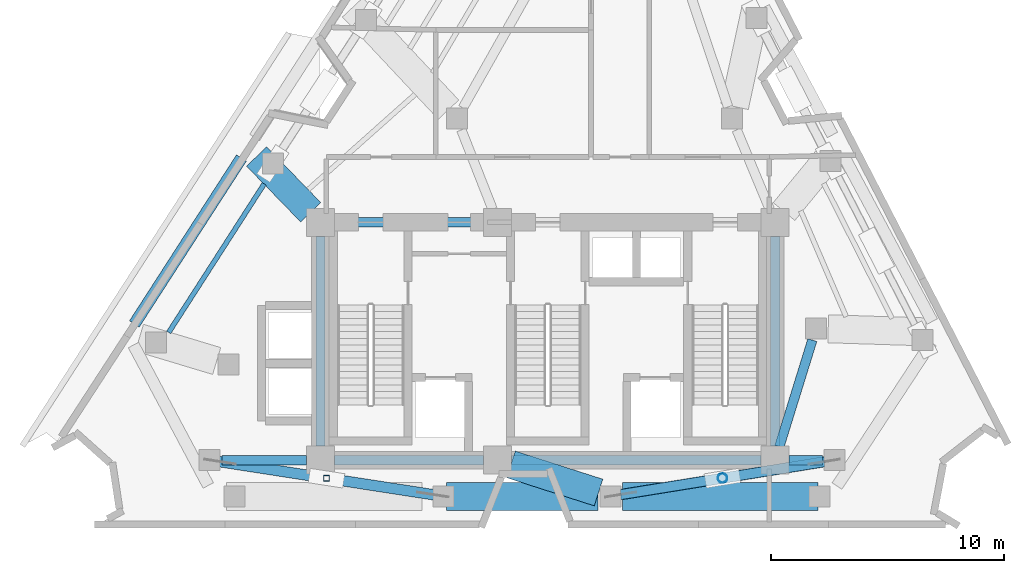
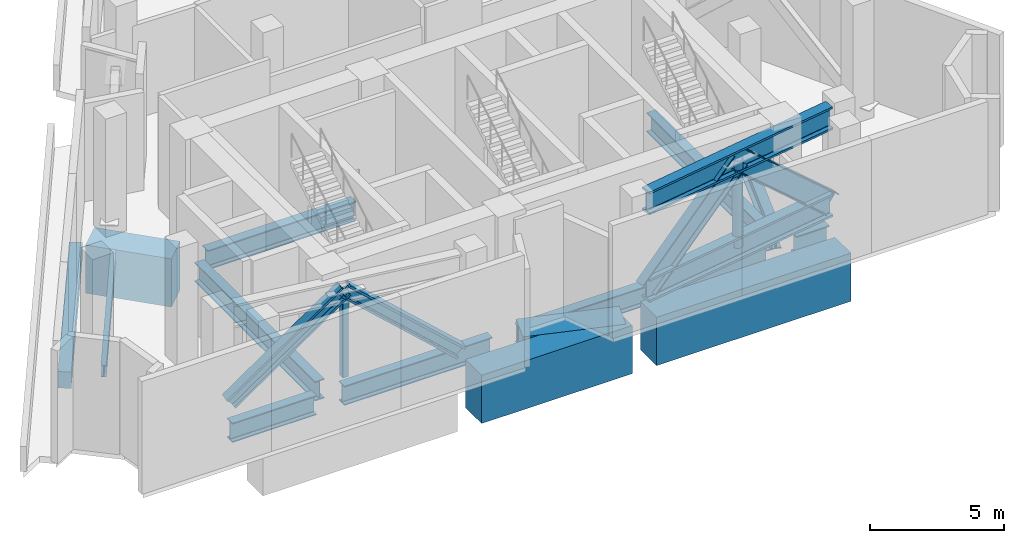
# One storey, part 2 of 8: 16 beams, 6 members.
"""IFC4 building model written with IfcOpenShell, lengths in metres."""

from ifc_helpers import new_model, si_unit, direction, frame, origin, origin_2d, place, context, subcontext, project, spatial, rectangle, hollow_rectangle, hollow_circle, i_section, extrude, material, material_profile, profile_set, type_object, element, save


model = new_model("IFC4")

# Units and contexts
model_context = context("Model", 3, precision=1e-05, world=origin(), true_north=direction((0.0, 1.0)))
body_context = subcontext(model_context, "Body", "Model", "MODEL_VIEW")
ifc_project = project(units=[si_unit("LENGTHUNIT", "METRE"), si_unit("AREAUNIT", "SQUARE_METRE"), si_unit("VOLUMEUNIT", "CUBIC_METRE"), si_unit("PLANEANGLEUNIT", "RADIAN"), si_unit("MASSUNIT", "GRAM", prefix="KILO")], contexts=[model_context])

# Site, building, storey
site_placement = place(None, origin())
site = spatial("IfcSite", under=ifc_project, at=site_placement, CompositionType="ELEMENT")
building_placement = place(site_placement, origin())
building = spatial("IfcBuilding", under=site, at=building_placement, Name="Almagre Mirador Tower", CompositionType="ELEMENT")
storey_placement = place(building_placement, frame((0.0, 0.0, 201.60009765625)))
storey = spatial("IfcBuildingStorey", under=building, at=storey_placement, Name="L52", CompositionType="ELEMENT", Elevation=201.60009765625)

# Beams
ifc_material_1 = material(Name="Steel ASTM A992 Grade 50", Category="steel")
ifc_material_profile_1 = material_profile(ifc_material_1, i_section(OverallWidth=0.208984375, OverallDepth=0.532958984375, WebThickness=0.01025390625, FlangeThickness=0.015625, FilletRadius=0.01806640625, at=origin_2d()), Name="W21X62")
ifc_profile_set_1 = profile_set([ifc_material_profile_1], Name="Steel ASTM A992 Grade 50")
beam_type_1 = type_object("IfcBeamType", Name="BM-JST-W21X62", PredefinedType="JOIST", material=ifc_profile_set_1)
beam_1_placement = place(storey_placement, frame((25.135498046875, 16.398681640625, -0.566650390625), z_axis=(-0.540711997043, -0.841207784233, 0.0), x_axis=(0.841207784233, -0.540711997043, 0.0)))
element("IfcBeam", 1, at=beam_1_placement, inside=storey, type_object=beam_type_1, Name="L52 secondary floor joist PC11-PC12.1", PredefinedType="JOIST", context=body_context, shape_type="SweptSolid", body=[
    extrude(i_section(OverallWidth=0.208984375, OverallDepth=0.532958984375, WebThickness=0.01025390625, FlangeThickness=0.015625, FilletRadius=0.01806640625, at=origin_2d()), origin(), (0.0, 0.0, 1.0), 7.577880859375),
])
ifc_material_2 = material(Name="Precast concrete C50/60", Category="concrete")
ifc_material_profile_2 = material_profile(ifc_material_2, rectangle(XDim=0.5, YDim=0.75, at=origin_2d()), Name="RC500X750")
ifc_profile_set_2 = profile_set([ifc_material_profile_2], Name="Precast concrete C50/60")
beam_type_2 = type_object("IfcBeamType", Name="BM-SPN-RC500X750", PredefinedType="SPANDREL", material=ifc_profile_set_2)
beam_2_placement = place(storey_placement, frame((24.159423828125, 17.5087890625, -0.675048828125), z_axis=(-0.542024442959, -0.840362721231, 0.0), x_axis=(0.840362721231, -0.542024442959, 0.0)))
element("IfcBeam", 2, at=beam_2_placement, inside=storey, type_object=beam_type_2, Name="L52 perimeter spandrel beam PC11-PC12", PredefinedType="SPANDREL", context=body_context, shape_type="SweptSolid", body=[
    extrude(rectangle(XDim=0.5, YDim=0.75, at=origin_2d()), origin(), (0.0, 0.0, 1.0), 8.4697265625),
])
ifc_material_3 = material(Name="Steel ASTM A992 Grade 50", Category="steel")
ifc_material_profile_3 = material_profile(ifc_material_3, i_section(OverallWidth=0.404052734375, OverallDepth=0.884033203125, WebThickness=0.0244140625, FlangeThickness=0.0439453125, FilletRadius=0.02490234375, at=origin_2d()), Name="W33X291")
ifc_profile_set_3 = profile_set([ifc_material_profile_3], Name="Steel ASTM A992 Grade 50")
beam_type_3 = type_object("IfcBeamType", Name="BM-STL-W33X291", PredefinedType="BEAM", material=ifc_profile_set_3)
beam_3_placement = place(storey_placement, frame((28.14990234375, 4.550048828125, -0.7421875), z_axis=(1.0, 0.0, 0.0), x_axis=(0.0, 1.0, 0.0)))
element("IfcBeam", 3, at=beam_3_placement, inside=storey, type_object=beam_type_3, Name="L52 core tie girder CC1-CC2", PredefinedType="BEAM", context=body_context, shape_type="SweptSolid", body=[
    extrude(i_section(OverallWidth=0.404052734375, OverallDepth=0.884033203125, WebThickness=0.0244140625, FlangeThickness=0.0439453125, FilletRadius=0.02490234375, at=origin_2d()), origin(), (0.0, 0.0, 1.0), 6.400146484375),
])
beam_4_placement = place(storey_placement, frame((35.75, 4.550048828125, -0.7421875), z_axis=(1.0, 0.0, 0.0), x_axis=(0.0, 1.0, 0.0)))
element("IfcBeam", 4, at=beam_4_placement, inside=storey, type_object=beam_type_3, Name="L52 core tie girder CC2-CC3", PredefinedType="BEAM", context=body_context, shape_type="SweptSolid", body=[
    extrude(i_section(OverallWidth=0.404052734375, OverallDepth=0.884033203125, WebThickness=0.0244140625, FlangeThickness=0.0439453125, FilletRadius=0.02490234375, at=origin_2d()), origin(), (0.0, 0.0, 1.0), 10.699951171875),
])
beam_5_placement = place(storey_placement, frame((28.14990234375, 14.75, -0.7421875), z_axis=(1.0, 0.0, 0.0), x_axis=(0.0, 1.0, 0.0)))
element("IfcBeam", 5, at=beam_5_placement, inside=storey, type_object=beam_type_3, Name="L52 core tie girder CC4-CC5", PredefinedType="BEAM", context=body_context, shape_type="SweptSolid", body=[
    extrude(i_section(OverallWidth=0.404052734375, OverallDepth=0.884033203125, WebThickness=0.0244140625, FlangeThickness=0.0439453125, FilletRadius=0.02490234375, at=origin_2d()), origin(), (0.0, 0.0, 1.0), 6.400146484375),
])
for number, where, z_axis, x_axis, name in (
    (6, (27.550048828125, 5.14990234375, -0.7421875), (0.0, 1.0, 0.0), (-1.0, 0.0, 0.0), "L52 core tie girder CC1-CC4"),
    (7, (47.050048828125, 5.14990234375, -0.7421875), (0.0, 1.0, 0.0), (-1.0, 0.0, 0.0), "L52 core tie girder CC3-CC6"),
):
    element("IfcBeam", number, at=place(storey_placement, frame(where, z_axis=z_axis, x_axis=x_axis)), inside=storey, type_object=beam_type_3, Name=name, PredefinedType="BEAM", context=body_context, shape_type="SweptSolid", body=[
        extrude(i_section(OverallWidth=0.404052734375, OverallDepth=0.884033203125, WebThickness=0.0244140625, FlangeThickness=0.0439453125, FilletRadius=0.02490234375, at=origin_2d()), origin(), (0.0, 0.0, 1.0), 9.0),
    ])
beam_6_placement = place(storey_placement, frame((23.324951171875, 4.550048828125, -0.7421875), z_axis=(1.0, 0.0, 0.0), x_axis=(0.0, 1.0, 0.0)))
element("IfcBeam", 8, at=beam_6_placement, inside=storey, type_object=beam_type_3, Name="L52 core tie girder MC1-CC1", PredefinedType="BEAM", context=body_context, shape_type="SweptSolid", body=[
    extrude(i_section(OverallWidth=0.404052734375, OverallDepth=0.884033203125, WebThickness=0.0244140625, FlangeThickness=0.0439453125, FilletRadius=0.02490234375, at=origin_2d()), origin(), (0.0, 0.0, 1.0), 3.625),
])
beam_7_placement = place(storey_placement, frame((49.074951171875, 4.550048828125, -0.7421875), z_axis=(-1.0, 0.0, 0.0), x_axis=(0.0, -1.0, 0.0)))
element("IfcBeam", 9, at=beam_7_placement, inside=storey, type_object=beam_type_3, Name="L52 core tie girder MC2-CC3", PredefinedType="BEAM", context=body_context, shape_type="SweptSolid", body=[
    extrude(i_section(OverallWidth=0.404052734375, OverallDepth=0.884033203125, WebThickness=0.0244140625, FlangeThickness=0.0439453125, FilletRadius=0.02490234375, at=origin_2d()), origin(), (0.0, 0.0, 1.0), 1.425048828125),
])
beam_8_placement = place(storey_placement, frame((48.644775390625, 9.698486328125, -0.7421875), z_axis=(-0.295879743348, -0.955225197258, 0.0), x_axis=(0.955225197258, -0.295879743348, 0.0)))
element("IfcBeam", 10, at=beam_8_placement, inside=storey, type_object=beam_type_3, Name="L52 core tie girder MC3-CC3", PredefinedType="BEAM", context=body_context, shape_type="SweptSolid", body=[
    extrude(i_section(OverallWidth=0.404052734375, OverallDepth=0.884033203125, WebThickness=0.0244140625, FlangeThickness=0.0439453125, FilletRadius=0.02490234375, at=origin_2d()), origin(), (0.0, 0.0, 1.0), 4.789794921875),
])
ifc_material_4 = material(Name="Steel ASTM A913 Grade 65", Category="steel")
ifc_material_profile_4 = material_profile(ifc_material_4, i_section(OverallWidth=0.446044921875, OverallDepth=1.0439453125, WebThickness=0.050048828125, FlangeThickness=0.08984375, FilletRadius=0.028076171875, at=origin_2d()), Name="W36X652")
ifc_profile_set_4 = profile_set([ifc_material_profile_4], Name="Steel ASTM A913 Grade 65")
beam_type_4 = type_object("IfcBeamType", Name="BM-STL-W36X652", PredefinedType="BEAM", material=ifc_profile_set_4)
for number, where, z_axis, x_axis, name in (
    (11, (40.42822265625, 3.071533203125, 0.64990234375), (0.987253301803, 0.159156897681, 0.0), (-0.159156897681, 0.987253301803, 0.0), "L52 outrigger truss 2 bottom chord"),
    (12, (40.42822265625, 3.071533203125, 4.6279296875), (0.987253301803, 0.159156897681, 0.0), (-0.159156897681, 0.987253301803, 0.0), "L52 outrigger truss 2 top chord"),
):
    element("IfcBeam", number, at=place(storey_placement, frame(where, z_axis=z_axis, x_axis=x_axis)), inside=storey, type_object=beam_type_4, Name=name, PredefinedType="BEAM", context=body_context, shape_type="SweptSolid", body=[
        extrude(i_section(OverallWidth=0.446044921875, OverallDepth=1.0439453125, WebThickness=0.050048828125, FlangeThickness=0.08984375, FilletRadius=0.028076171875, at=origin_2d()), origin(), (0.0, 0.0, 1.0), 8.84033203125),
    ])
ifc_material_5 = material(Name="Concrete C60/75", Category="concrete")
ifc_material_profile_5 = material_profile(ifc_material_5, rectangle(XDim=1.199951171875, YDim=2.199951171875, at=origin_2d()), Name="RC1200X2200")
ifc_profile_set_5 = profile_set([ifc_material_profile_5], Name="Concrete C60/75")
beam_type_5 = type_object("IfcBeamType", Name="BM-XFER-RC1200X2200", PredefinedType="BEAM", material=ifc_profile_set_5)
beam_9_placement = place(storey_placement, frame((32.948974609375, 3.0, -1.400146484375), z_axis=(1.0, 0.0, 0.0), x_axis=(0.0, 1.0, 0.0)))
element("IfcBeam", 13, at=beam_9_placement, inside=storey, type_object=beam_type_5, Name="L52 perimeter spandrel beam PC02-PC03", PredefinedType="BEAM", context=body_context, shape_type="SweptSolid", body=[
    extrude(rectangle(XDim=1.199951171875, YDim=2.199951171875, at=origin_2d()), origin(), (0.0, 0.0, 1.0), 6.501953125),
])
beam_10_placement = place(storey_placement, frame((40.5009765625, 3.0, -1.400146484375), z_axis=(1.0, 0.0, 0.0), x_axis=(0.0, 1.0, 0.0)))
element("IfcBeam", 14, at=beam_10_placement, inside=storey, type_object=beam_type_5, Name="L52 perimeter spandrel beam PC03-PC04", PredefinedType="BEAM", context=body_context, shape_type="SweptSolid", body=[
    extrude(rectangle(XDim=1.199951171875, YDim=2.199951171875, at=origin_2d()), origin(), (0.0, 0.0, 1.0), 8.39013671875),
])
beam_11_placement = place(storey_placement, frame((39.47607421875, 3.160400390625, -1.400146484375), z_axis=(-0.952092949621, 0.30580878876, 0.0), x_axis=(-0.30580878876, -0.952092949621, 0.0)))
element("IfcBeam", 15, at=beam_11_placement, inside=storey, type_object=beam_type_5, Name="L52 radial transfer girder PC03-CC2", PredefinedType="BEAM", context=body_context, shape_type="SweptSolid", body=[
    extrude(rectangle(XDim=1.199951171875, YDim=2.199951171875, at=origin_2d()), origin(), (0.0, 0.0, 1.0), 3.94384765625),
])
beam_12_placement = place(storey_placement, frame((24.809814453125, 17.5732421875, -1.400146484375), z_axis=(0.69644765499, -0.717607597409, 0.0), x_axis=(0.717607597409, 0.69644765499, 0.0)))
element("IfcBeam", 16, at=beam_12_placement, inside=storey, type_object=beam_type_5, Name="L52 radial transfer girder PC11-CC4", PredefinedType="BEAM", context=body_context, shape_type="SweptSolid", body=[
    extrude(rectangle(XDim=1.199951171875, YDim=2.199951171875, at=origin_2d()), origin(), (0.0, 0.0, 1.0), 3.33447265625),
])

# Members
ifc_material_6 = material(Name="Steel ASTM A913 Grade 65", Category="steel")
ifc_material_profile_6 = material_profile(ifc_material_6, i_section(OverallWidth=0.4541015625, OverallDepth=0.570068359375, WebThickness=0.077880859375, FlangeThickness=0.093994140625, FilletRadius=0.02001953125, at=origin_2d()), Name="W14X730")
ifc_profile_set_6 = profile_set([ifc_material_profile_6], Name="Steel ASTM A913 Grade 65")
member_type_1 = type_object("IfcMemberType", Name="MBR-BRC-W14X730", PredefinedType="BRACE", material=ifc_profile_set_6)
member_1_placement = place(storey_placement, frame((32.371337890625, 3.06884765625, 0.64990234375), z_axis=(-0.748711975985, 0.115845863493, 0.65269450199), x_axis=(-0.152907367232, -0.988240525908, 0.0)))
element("IfcMember", 17, at=member_1_placement, inside=storey, type_object=member_type_1, Name="L52 outrigger truss 1 diagonal 1", PredefinedType="BRACE", context=body_context, shape_type="SweptSolid", body=[
    extrude(i_section(OverallWidth=0.4541015625, OverallDepth=0.570068359375, WebThickness=0.077880859375, FlangeThickness=0.093994140625, FilletRadius=0.02001953125, at=origin_2d()), origin(), (0.0, 0.0, 1.0), 6.0947265625),
])
member_2_placement = place(storey_placement, frame((27.80810546875, 3.77490234375, 4.6279296875), z_axis=(-0.748726102779, 0.115881907519, -0.652671898068), x_axis=(-0.152951011259, -0.988233772017, 0.0)))
element("IfcMember", 18, at=member_2_placement, inside=storey, type_object=member_type_1, Name="L52 outrigger truss 1 diagonal 2", PredefinedType="BRACE", context=body_context, shape_type="SweptSolid", body=[
    extrude(i_section(OverallWidth=0.4541015625, OverallDepth=0.570068359375, WebThickness=0.077880859375, FlangeThickness=0.093994140625, FilletRadius=0.02001953125, at=origin_2d()), origin(), (0.0, 0.0, 1.0), 6.094970703125),
])
ifc_material_7 = material(Name="Steel ASTM A913 Grade 65", Category="steel")
ifc_material_profile_7 = material_profile(ifc_material_7, i_section(OverallWidth=0.423095703125, OverallDepth=0.947998046875, WebThickness=0.02392578125, FlangeThickness=0.042724609375, FilletRadius=0.028076171875, at=origin_2d()), Name="W36X302")
ifc_profile_set_7 = profile_set([ifc_material_profile_7], Name="Steel ASTM A913 Grade 65")
member_type_2 = type_object("IfcMemberType", Name="MBR-BRC-W36X302", PredefinedType="BRACE", material=ifc_profile_set_7)
for number, where, z_axis, x_axis, name in (
    (19, (40.42822265625, 3.071533203125, 0.64990234375), (0.733827398091, 0.118281119721, 0.668959585123), (-0.159129980046, 0.987257640867, 0.0), "L52 outrigger truss 2 diagonal 1"),
    (20, (44.7919921875, 3.77490234375, 4.6279296875), (0.73382383396, 0.118321600619, -0.668956336049), (-0.159183814961, 0.987248962043, 0.0), "L52 outrigger truss 2 diagonal 2"),
):
    element("IfcMember", number, at=place(storey_placement, frame(where, z_axis=z_axis, x_axis=x_axis)), inside=storey, type_object=member_type_2, Name=name, PredefinedType="BRACE", context=body_context, shape_type="SweptSolid", body=[
        extrude(i_section(OverallWidth=0.423095703125, OverallDepth=0.947998046875, WebThickness=0.02392578125, FlangeThickness=0.042724609375, FilletRadius=0.028076171875, at=origin_2d()), origin(), (0.0, 0.0, 1.0), 5.946533203125),
    ])
ifc_material_8 = material(Name="Steel ASTM A500 Grade C", Category="steel")
ifc_material_profile_8 = material_profile(ifc_material_8, hollow_circle(Radius=0.203125, WallThickness=0.0126953125, at=origin_2d()), Name="CHS406.4X12.7")
ifc_profile_set_8 = profile_set([ifc_material_profile_8], Name="Steel ASTM A500 Grade C")
member_type_3 = type_object("IfcMemberType", Name="MBR-STR-CHS406", PredefinedType="STRUT", material=ifc_profile_set_8)
member_3_placement = place(storey_placement, frame((44.7919921875, 3.77490234375, 0.64990234375), z_axis=(0.0, 0.0, 1.0), x_axis=(1.0, 0.0, 0.0)))
element("IfcMember", 21, at=member_3_placement, inside=storey, type_object=member_type_3, Name="L52 outrigger vertical post strut 2.1", PredefinedType="STRUT", context=body_context, shape_type="SweptSolid", body=[
    extrude(hollow_circle(Radius=0.203125, WallThickness=0.0126953125, at=origin_2d()), origin(), (0.0, 0.0, 1.0), 3.97802734375),
])
ifc_material_9 = material(Name="Steel ASTM A500 Grade C", Category="steel")
ifc_material_profile_9 = material_profile(ifc_material_9, hollow_rectangle(XDim=0.25, YDim=0.25, WallThickness=0.010009765625, InnerFilletRadius=0.010009765625, OuterFilletRadius=0.02001953125, at=origin_2d()), Name="HSS250X250X10")
ifc_profile_set_9 = profile_set([ifc_material_profile_9], Name="Steel ASTM A500 Grade C")
member_type_4 = type_object("IfcMemberType", Name="MBR-STR-HSS250", PredefinedType="STRUT", material=ifc_profile_set_9)
member_4_placement = place(storey_placement, frame((27.80810546875, 3.77490234375, 0.64990234375), z_axis=(0.0, 0.0, 1.0), x_axis=(1.0, 0.0, 0.0)))
element("IfcMember", 22, at=member_4_placement, inside=storey, type_object=member_type_4, Name="L52 outrigger vertical post strut 1.1", PredefinedType="STRUT", context=body_context, shape_type="SweptSolid", body=[
    extrude(hollow_rectangle(XDim=0.25, YDim=0.25, WallThickness=0.010009765625, InnerFilletRadius=0.010009765625, OuterFilletRadius=0.02001953125, at=origin_2d()), origin(), (0.0, 0.0, 1.0), 3.97802734375),
])

save(model, "model.ifc")
